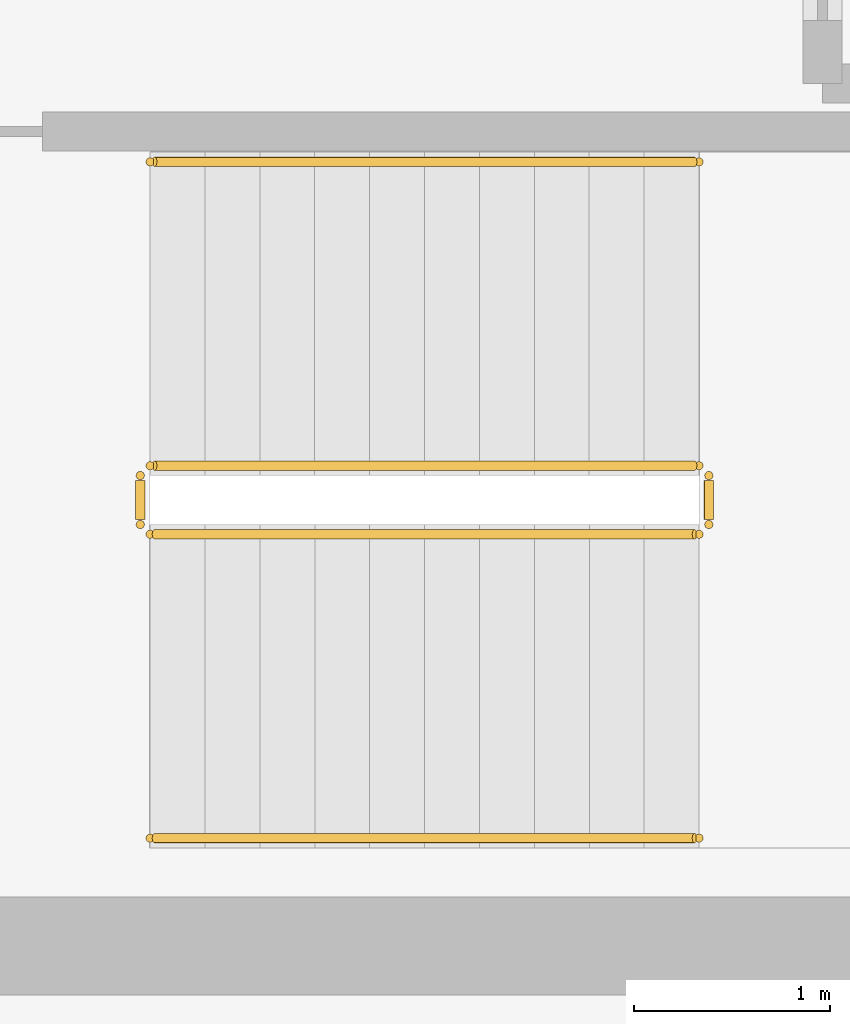
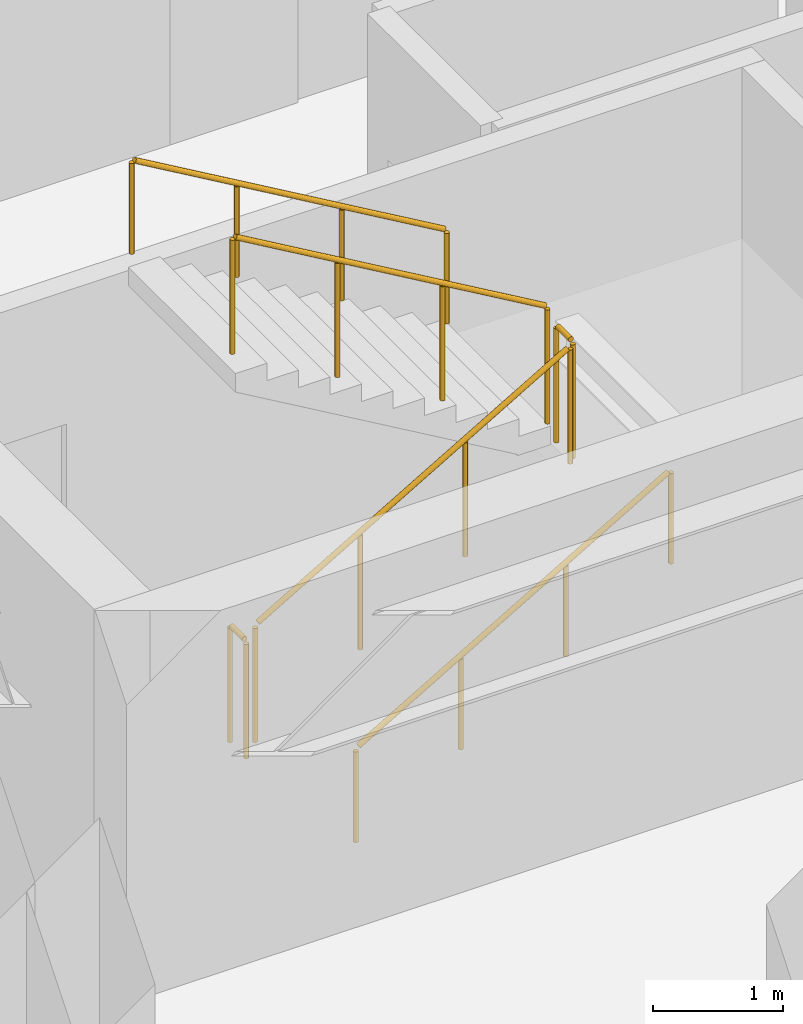
# One storey, part 11 of 11: 6 railings.
"""IFC4 building model written with IfcOpenShell, lengths in metres."""

from ifc_helpers import new_model, si_unit, direction, frame, origin, origin_2d, place, context, subcontext, project, spatial, circle, extrude, source, transform, mapped, material, layer, layer_set, type_object, element, save


model = new_model("IFC4")

# Units and contexts
model_context = context("Model", 3, precision=1e-05, world=origin(), true_north=direction((0.0, 1.0)))
body_context = subcontext(model_context, "Body", "Model", "MODEL_VIEW")
ifc_project = project(units=[si_unit("LENGTHUNIT", "METRE"), si_unit("AREAUNIT", "SQUARE_METRE"), si_unit("VOLUMEUNIT", "CUBIC_METRE"), si_unit("PLANEANGLEUNIT", "RADIAN"), si_unit("MASSUNIT", "GRAM", prefix="KILO")], contexts=[model_context])

# Site, building, storey
site_placement = place(None, origin())
site = spatial("IfcSite", under=ifc_project, at=site_placement, CompositionType="ELEMENT")
building_placement = place(site_placement, origin())
building = spatial("IfcBuilding", under=site, at=building_placement, Name="Kharzan Plaza Tower", CompositionType="ELEMENT")
storey_placement = place(building_placement, frame((0.0, 0.0, 219.60009765625)))
storey = spatial("IfcBuildingStorey", under=building, at=storey_placement, Name="L59", CompositionType="ELEMENT", Elevation=219.60009765625)

# Railings
ifc_material_1 = material(Name="Painted Galvanized Architectural Steel", Category="steel")
ifc_layer_1 = layer(ifc_material_1, 0.074951171875)
ifc_layer_set_1 = layer_set([ifc_layer_1], Name="Painted Galvanized Architectural Steel")
railing_type_1 = type_object("IfcRailingType", Name="RL-GUARD-1120", PredefinedType="BALUSTRADE", material=ifc_layer_set_1)
shared_shape_1 = source(origin(), body_context, "Body", "SweptSolid", [
    extrude(circle(Radius=0.02392578125, at=origin_2d()), frame((0.0, 0.0263671875, 1.09619140625), z_axis=(0.0, 1.0, 0.0), x_axis=(-1.0, 0.0, 0.0)), (0.0, 0.0, 1.0), 0.197021484375),
    extrude(circle(Radius=0.02099609375, at=origin_2d()), origin(), (0.0, 0.0, 1.0), 1.072021484375),
    extrude(circle(Radius=0.02099609375, at=origin_2d()), frame((0.0, 0.25, 0.0)), (0.0, 0.0, 1.0), 1.072021484375),
])
for number, where, name in (
    (1, (41.10009765625, 6.64990234375, 1.7998046875), "L59 ST-3 stair guard 2"),
    (2, (38.199951171875, 6.64990234375, 0.0), "L59 ST-3 stair guard 4"),
):
    element("IfcRailing", number, at=place(storey_placement, frame(where)), inside=storey, type_object=railing_type_1, Name=name, PredefinedType="BALUSTRADE", context=body_context, shape_type="MappedRepresentation", body=[
        mapped(shared_shape_1, transform((0.0, 0.0, 0.0), x_axis=(1.0, 0.0, 0.0), y_axis=(0.0, 1.0, 0.0), z_axis=(0.0, 0.0, 1.0))),
    ])
shared_shape_2 = source(origin(), body_context, "Body", "SweptSolid", [
    extrude(circle(Radius=0.02392578125, at=origin_2d()), frame((0.02294921875, 0.0, 1.109375), z_axis=(0.863393664356, 0.0, 0.504530851732), x_axis=(0.0, 1.0, 0.0)), (0.0, 0.0, 1.0), 3.190185546875),
    extrude(circle(Radius=0.02099609375, at=origin_2d()), origin(), (0.0, 0.0, 1.0), 1.072021484375),
    extrude(circle(Radius=0.02099609375, at=origin_2d()), frame((0.933349609375, 0.0, 0.54541015625)), (0.0, 0.0, 1.0), 1.072021484375),
    extrude(circle(Radius=0.02099609375, at=origin_2d()), frame((1.86669921875, 0.0, 1.0908203125)), (0.0, 0.0, 1.0), 1.072021484375),
    extrude(circle(Radius=0.02099609375, at=origin_2d()), frame((2.800048828125, 0.0, 1.63623046875)), (0.0, 0.0, 1.0), 1.072021484375),
])
railing_1_placement = place(storey_placement, frame((38.25, 6.60009765625, 0.16357421875)))
element("IfcRailing", 3, at=railing_1_placement, inside=storey, type_object=railing_type_1, Name="L59 ST-3 stair guard 1", PredefinedType="BALUSTRADE", context=body_context, shape_type="MappedRepresentation", body=[
    mapped(shared_shape_2, transform((0.0, 0.0, 0.0), x_axis=(1.0, 0.0, 0.0), y_axis=(0.0, 1.0, 0.0), z_axis=(0.0, 0.0, 1.0))),
])
shared_shape_3 = source(origin(), body_context, "Body", "SweptSolid", [
    extrude(circle(Radius=0.02392578125, at=origin_2d()), frame((-0.02294921875, 0.0, 1.109375), z_axis=(-0.863393664356, 0.0, 0.504530851732), x_axis=(0.0, -1.0, 0.0)), (0.0, 0.0, 1.0), 3.190185546875),
    extrude(circle(Radius=0.02099609375, at=origin_2d()), origin(), (0.0, 0.0, 1.0), 1.072021484375),
    extrude(circle(Radius=0.02099609375, at=origin_2d()), frame((-0.933349609375, 0.0, 0.54541015625)), (0.0, 0.0, 1.0), 1.072021484375),
    extrude(circle(Radius=0.02099609375, at=origin_2d()), frame((-1.86669921875, 0.0, 1.0908203125)), (0.0, 0.0, 1.0), 1.072021484375),
    extrude(circle(Radius=0.02099609375, at=origin_2d()), frame((-2.800048828125, 0.0, 1.63623046875)), (0.0, 0.0, 1.0), 1.072021484375),
])
railing_2_placement = place(storey_placement, frame((41.050048828125, 6.949951171875, 1.963623046875)))
element("IfcRailing", 4, at=railing_2_placement, inside=storey, type_object=railing_type_1, Name="L59 ST-3 stair guard 3", PredefinedType="BALUSTRADE", context=body_context, shape_type="MappedRepresentation", body=[
    mapped(shared_shape_3, transform((0.0, 0.0, 0.0), x_axis=(1.0, 0.0, 0.0), y_axis=(0.0, 1.0, 0.0), z_axis=(0.0, 0.0, 1.0))),
])
ifc_material_2 = material(Name="Brushed Stainless Steel", Category="steel")
ifc_layer_2 = layer(ifc_material_2, 0.050048828125)
ifc_layer_set_2 = layer_set([ifc_layer_2], Name="Brushed Stainless Steel")
railing_type_2 = type_object("IfcRailingType", Name="RL-STAIR-HR920", PredefinedType="HANDRAIL", material=ifc_layer_set_2)
shared_shape_4 = source(origin(), body_context, "Body", "SweptSolid", [
    extrude(circle(Radius=0.02392578125, at=origin_2d()), frame((0.02294921875, 0.0, 0.88916015625), z_axis=(0.863393664356, 0.0, 0.504530851732), x_axis=(0.0, 1.0, 0.0)), (0.0, 0.0, 1.0), 3.190185546875),
    extrude(circle(Radius=0.02099609375, at=origin_2d()), origin(), (0.0, 0.0, 1.0), 0.851806640625),
    extrude(circle(Radius=0.02099609375, at=origin_2d()), frame((0.933349609375, 0.0, 0.54541015625)), (0.0, 0.0, 1.0), 0.851806640625),
    extrude(circle(Radius=0.02099609375, at=origin_2d()), frame((1.86669921875, 0.0, 1.0908203125)), (0.0, 0.0, 1.0), 0.851806640625),
    extrude(circle(Radius=0.02099609375, at=origin_2d()), frame((2.800048828125, 0.0, 1.63623046875)), (0.0, 0.0, 1.0), 0.851806640625),
])
railing_3_placement = place(storey_placement, frame((38.25, 5.050048828125, 0.16357421875)))
element("IfcRailing", 5, at=railing_3_placement, inside=storey, type_object=railing_type_2, Name="L59 ST-3 stair handrail 1", PredefinedType="HANDRAIL", context=body_context, shape_type="MappedRepresentation", body=[
    mapped(shared_shape_4, transform((0.0, 0.0, 0.0), x_axis=(1.0, 0.0, 0.0), y_axis=(0.0, 1.0, 0.0), z_axis=(0.0, 0.0, 1.0))),
])
shared_shape_5 = source(origin(), body_context, "Body", "SweptSolid", [
    extrude(circle(Radius=0.02392578125, at=origin_2d()), frame((-0.02294921875, 0.0, 0.88916015625), z_axis=(-0.863393664356, 0.0, 0.504530851732), x_axis=(0.0, -1.0, 0.0)), (0.0, 0.0, 1.0), 3.190185546875),
    extrude(circle(Radius=0.02099609375, at=origin_2d()), origin(), (0.0, 0.0, 1.0), 0.851806640625),
    extrude(circle(Radius=0.02099609375, at=origin_2d()), frame((-0.933349609375, 0.0, 0.54541015625)), (0.0, 0.0, 1.0), 0.851806640625),
    extrude(circle(Radius=0.02099609375, at=origin_2d()), frame((-1.86669921875, 0.0, 1.0908203125)), (0.0, 0.0, 1.0), 0.851806640625),
    extrude(circle(Radius=0.02099609375, at=origin_2d()), frame((-2.800048828125, 0.0, 1.63623046875)), (0.0, 0.0, 1.0), 0.851806640625),
])
railing_4_placement = place(storey_placement, frame((41.050048828125, 8.5, 1.963623046875)))
element("IfcRailing", 6, at=railing_4_placement, inside=storey, type_object=railing_type_2, Name="L59 ST-3 stair handrail 2", PredefinedType="HANDRAIL", context=body_context, shape_type="MappedRepresentation", body=[
    mapped(shared_shape_5, transform((0.0, 0.0, 0.0), x_axis=(1.0, 0.0, 0.0), y_axis=(0.0, 1.0, 0.0), z_axis=(0.0, 0.0, 1.0))),
])

save(model, "model.ifc")
